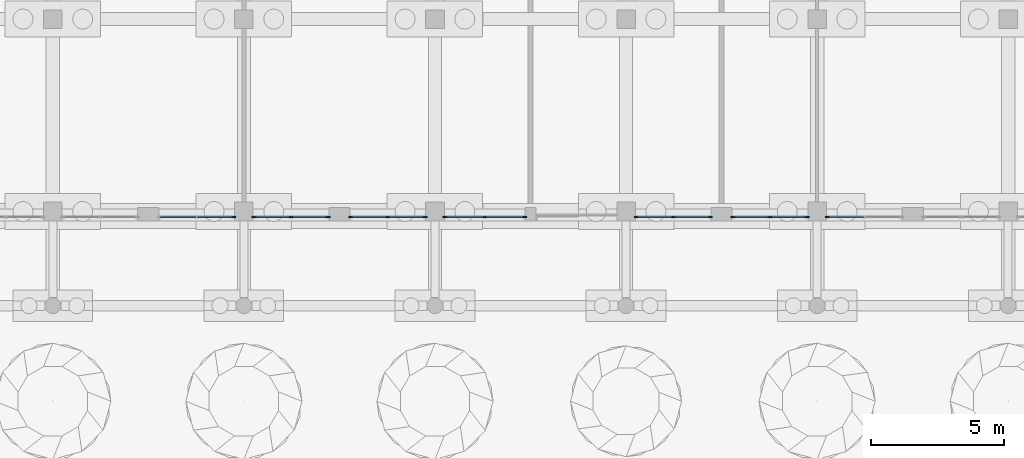
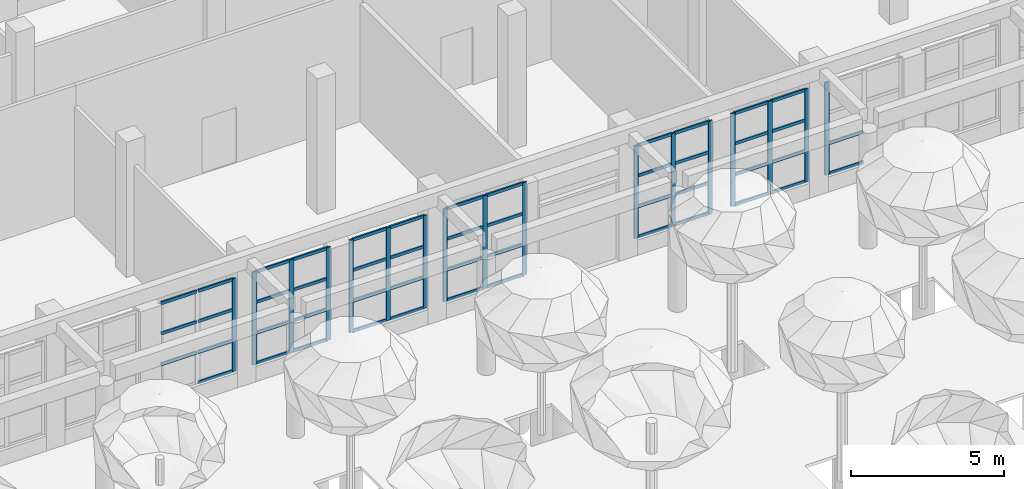
# One storey, part 24 of 80: 66 members, 7 elements without a shape of their own.
"""IFC4 building model written with IfcOpenShell, lengths in metres."""

from ifc_helpers import new_model, si_unit, direction, frame, origin, origin_2d, place, context, subcontext, project, spatial, rectangle, extrude, material, layer, layer_set, material_profile, profile_set, type_object, element, aggregate, save


model = new_model("IFC4")

# Units and contexts
model_context = context("Model", 3, precision=1e-05, world=origin(), true_north=direction((0.0, 1.0)))
body_context = subcontext(model_context, "Body", "Model", "MODEL_VIEW")
ifc_project = project(units=[si_unit("LENGTHUNIT", "METRE"), si_unit("AREAUNIT", "SQUARE_METRE"), si_unit("VOLUMEUNIT", "CUBIC_METRE"), si_unit("PLANEANGLEUNIT", "RADIAN"), si_unit("MASSUNIT", "GRAM", prefix="KILO")], contexts=[model_context])

# Site, building, storey
site_placement = place(None, origin())
site = spatial("IfcSite", under=ifc_project, at=site_placement, CompositionType="ELEMENT")
building_placement = place(site_placement, origin())
building = spatial("IfcBuilding", under=site, at=building_placement, Name="Ussher Court Research Institute", CompositionType="ELEMENT")
storey_placement = place(building_placement, origin())
storey = spatial("IfcBuildingStorey", under=building, at=storey_placement, Name="L00", CompositionType="ELEMENT", Elevation=0.0)

# Curtain wall, member
ifc_material_1 = material(Name="Bronze anodised aluminium with laminated safety glass", Category="aluminium")
ifc_layer = layer(ifc_material_1, 0.1201171875)
ifc_layer_set = layer_set([ifc_layer], Name="Bronze anodised aluminium with laminated safety glass")
curtain_wall_type = type_object("IfcCurtainWallType", Name="Curtain wall dry laboratory base storefront", PredefinedType="NOTDEFINED", material=ifc_layer_set)
curtain_wall_1_placement = place(storey_placement, origin())
curtain_wall_1 = element("IfcCurtainWall", 1, at=curtain_wall_1_placement, inside=storey, type_object=curtain_wall_type, Name="Curtain wall CW4 L00", PredefinedType="NOTDEFINED")
ifc_material_2 = material(Name="Bronze anodised aluminium", Category="aluminium")
ifc_material_profile_1 = material_profile(ifc_material_2, rectangle(XDim=0.06005859375, YDim=0.159912109375, at=origin_2d()), Name="Mullion 60x160")
ifc_profile_set_1 = profile_set([ifc_material_profile_1], Name="Bronze anodised aluminium")
member_type_1 = type_object("IfcMemberType", Name="Mullion 60x160", PredefinedType="MULLION", material=ifc_profile_set_1)
member_1_placement = place(storey_placement, frame((60.97998046875, 68.550048828125, 0.60009765625), z_axis=(0.0, 0.0, 1.0), x_axis=(0.0, -1.0, 0.0)))
member_1 = element("IfcMember", 2, at=member_1_placement, type_object=member_type_1, Name="CW4 mullion 3", PredefinedType="MULLION", context=body_context, shape_type="SweptSolid", body=[
    extrude(rectangle(XDim=0.06005859375, YDim=0.159912109375, at=origin_2d()), origin(), (0.0, 0.0, 1.0), 3.699951171875),
])

# Curtain wall, members
curtain_wall_2_placement = place(storey_placement, origin())
curtain_wall_2 = element("IfcCurtainWall", 3, at=curtain_wall_2_placement, inside=storey, type_object=curtain_wall_type, Name="Curtain wall CW4 L00", PredefinedType="NOTDEFINED")
member_2_placement = place(storey_placement, frame((60.219970703125, 68.550048828125, 0.60009765625), z_axis=(0.0, 0.0, 1.0), x_axis=(0.0, -1.0, 0.0)))
member_2 = element("IfcMember", 4, at=member_2_placement, type_object=member_type_1, Name="CW4 mullion 1", PredefinedType="MULLION", context=body_context, shape_type="SweptSolid", body=[
    extrude(rectangle(XDim=0.06005859375, YDim=0.159912109375, at=origin_2d()), origin(), (0.0, 0.0, 1.0), 3.699951171875),
])
member_3_placement = place(storey_placement, frame((58.824951171875, 68.550048828125, 0.60009765625), z_axis=(0.0, 0.0, 1.0), x_axis=(0.0, -1.0, 0.0)))
member_3 = element("IfcMember", 5, at=member_3_placement, type_object=member_type_1, Name="CW4 mullion 2", PredefinedType="MULLION", context=body_context, shape_type="SweptSolid", body=[
    extrude(rectangle(XDim=0.06005859375, YDim=0.159912109375, at=origin_2d()), origin(), (0.0, 0.0, 1.0), 3.699951171875),
])
member_4_placement = place(storey_placement, frame((57.429931640625, 68.550048828125, 0.60009765625), z_axis=(0.0, 0.0, 1.0), x_axis=(0.0, -1.0, 0.0)))
member_4 = element("IfcMember", 6, at=member_4_placement, type_object=member_type_1, Name="CW4 mullion 3", PredefinedType="MULLION", context=body_context, shape_type="SweptSolid", body=[
    extrude(rectangle(XDim=0.06005859375, YDim=0.159912109375, at=origin_2d()), origin(), (0.0, 0.0, 1.0), 3.699951171875),
])

curtain_wall_3_placement = place(storey_placement, origin())
curtain_wall_3 = element("IfcCurtainWall", 7, at=curtain_wall_3_placement, inside=storey, type_object=curtain_wall_type, Name="Curtain wall CW4 L00", PredefinedType="NOTDEFINED")
member_5_placement = place(storey_placement, frame((56.570068359375, 68.550048828125, 0.60009765625), z_axis=(0.0, 0.0, 1.0), x_axis=(0.0, -1.0, 0.0)))
member_5 = element("IfcMember", 8, at=member_5_placement, type_object=member_type_1, Name="CW4 mullion 1", PredefinedType="MULLION", context=body_context, shape_type="SweptSolid", body=[
    extrude(rectangle(XDim=0.06005859375, YDim=0.159912109375, at=origin_2d()), origin(), (0.0, 0.0, 1.0), 3.699951171875),
])
member_6_placement = place(storey_placement, frame((55.175048828125, 68.550048828125, 0.60009765625), z_axis=(0.0, 0.0, 1.0), x_axis=(0.0, -1.0, 0.0)))
member_6 = element("IfcMember", 9, at=member_6_placement, type_object=member_type_1, Name="CW4 mullion 2", PredefinedType="MULLION", context=body_context, shape_type="SweptSolid", body=[
    extrude(rectangle(XDim=0.06005859375, YDim=0.159912109375, at=origin_2d()), origin(), (0.0, 0.0, 1.0), 3.699951171875),
])
member_7_placement = place(storey_placement, frame((53.780029296875, 68.550048828125, 0.60009765625), z_axis=(0.0, 0.0, 1.0), x_axis=(0.0, -1.0, 0.0)))
member_7 = element("IfcMember", 10, at=member_7_placement, type_object=member_type_1, Name="CW4 mullion 3", PredefinedType="MULLION", context=body_context, shape_type="SweptSolid", body=[
    extrude(rectangle(XDim=0.06005859375, YDim=0.159912109375, at=origin_2d()), origin(), (0.0, 0.0, 1.0), 3.699951171875),
])

curtain_wall_4_placement = place(storey_placement, origin())
curtain_wall_4 = element("IfcCurtainWall", 11, at=curtain_wall_4_placement, inside=storey, type_object=curtain_wall_type, Name="Curtain wall CW4 L00", PredefinedType="NOTDEFINED")
member_8_placement = place(storey_placement, frame((49.570068359375, 68.550048828125, 0.60009765625), z_axis=(0.0, 0.0, 1.0), x_axis=(0.0, -1.0, 0.0)))
member_8 = element("IfcMember", 12, at=member_8_placement, type_object=member_type_1, Name="CW4 mullion 1", PredefinedType="MULLION", context=body_context, shape_type="SweptSolid", body=[
    extrude(rectangle(XDim=0.06005859375, YDim=0.159912109375, at=origin_2d()), origin(), (0.0, 0.0, 1.0), 3.699951171875),
])
member_9_placement = place(storey_placement, frame((48.074951171875, 68.550048828125, 0.60009765625), z_axis=(0.0, 0.0, 1.0), x_axis=(0.0, -1.0, 0.0)))
member_9 = element("IfcMember", 13, at=member_9_placement, type_object=member_type_1, Name="CW4 mullion 2", PredefinedType="MULLION", context=body_context, shape_type="SweptSolid", body=[
    extrude(rectangle(XDim=0.06005859375, YDim=0.159912109375, at=origin_2d()), origin(), (0.0, 0.0, 1.0), 3.699951171875),
])
member_10_placement = place(storey_placement, frame((46.580078125, 68.550048828125, 0.60009765625), z_axis=(0.0, 0.0, 1.0), x_axis=(0.0, -1.0, 0.0)))
member_10 = element("IfcMember", 14, at=member_10_placement, type_object=member_type_1, Name="CW4 mullion 3", PredefinedType="MULLION", context=body_context, shape_type="SweptSolid", body=[
    extrude(rectangle(XDim=0.06005859375, YDim=0.159912109375, at=origin_2d()), origin(), (0.0, 0.0, 1.0), 3.699951171875),
])

curtain_wall_5_placement = place(storey_placement, origin())
curtain_wall_5 = element("IfcCurtainWall", 15, at=curtain_wall_5_placement, inside=storey, type_object=curtain_wall_type, Name="Curtain wall CW4 L00", PredefinedType="NOTDEFINED")
member_11_placement = place(storey_placement, frame((45.820068359375, 68.550048828125, 0.60009765625), z_axis=(0.0, 0.0, 1.0), x_axis=(0.0, -1.0, 0.0)))
member_11 = element("IfcMember", 16, at=member_11_placement, type_object=member_type_1, Name="CW4 mullion 1", PredefinedType="MULLION", context=body_context, shape_type="SweptSolid", body=[
    extrude(rectangle(XDim=0.06005859375, YDim=0.159912109375, at=origin_2d()), origin(), (0.0, 0.0, 1.0), 3.699951171875),
])
member_12_placement = place(storey_placement, frame((44.425048828125, 68.550048828125, 0.60009765625), z_axis=(0.0, 0.0, 1.0), x_axis=(0.0, -1.0, 0.0)))
member_12 = element("IfcMember", 17, at=member_12_placement, type_object=member_type_1, Name="CW4 mullion 2", PredefinedType="MULLION", context=body_context, shape_type="SweptSolid", body=[
    extrude(rectangle(XDim=0.06005859375, YDim=0.159912109375, at=origin_2d()), origin(), (0.0, 0.0, 1.0), 3.699951171875),
])
member_13_placement = place(storey_placement, frame((43.030029296875, 68.550048828125, 0.60009765625), z_axis=(0.0, 0.0, 1.0), x_axis=(0.0, -1.0, 0.0)))
member_13 = element("IfcMember", 18, at=member_13_placement, type_object=member_type_1, Name="CW4 mullion 3", PredefinedType="MULLION", context=body_context, shape_type="SweptSolid", body=[
    extrude(rectangle(XDim=0.06005859375, YDim=0.159912109375, at=origin_2d()), origin(), (0.0, 0.0, 1.0), 3.699951171875),
])

curtain_wall_6_placement = place(storey_placement, origin())
curtain_wall_6 = element("IfcCurtainWall", 19, at=curtain_wall_6_placement, inside=storey, type_object=curtain_wall_type, Name="Curtain wall CW4 L00", PredefinedType="NOTDEFINED")
member_14_placement = place(storey_placement, frame((42.169921875, 68.550048828125, 0.60009765625), z_axis=(0.0, 0.0, 1.0), x_axis=(0.0, -1.0, 0.0)))
member_14 = element("IfcMember", 20, at=member_14_placement, type_object=member_type_1, Name="CW4 mullion 1", PredefinedType="MULLION", context=body_context, shape_type="SweptSolid", body=[
    extrude(rectangle(XDim=0.06005859375, YDim=0.159912109375, at=origin_2d()), origin(), (0.0, 0.0, 1.0), 3.699951171875),
])
member_15_placement = place(storey_placement, frame((40.77490234375, 68.550048828125, 0.60009765625), z_axis=(0.0, 0.0, 1.0), x_axis=(0.0, -1.0, 0.0)))
member_15 = element("IfcMember", 21, at=member_15_placement, type_object=member_type_1, Name="CW4 mullion 2", PredefinedType="MULLION", context=body_context, shape_type="SweptSolid", body=[
    extrude(rectangle(XDim=0.06005859375, YDim=0.159912109375, at=origin_2d()), origin(), (0.0, 0.0, 1.0), 3.699951171875),
])
member_16_placement = place(storey_placement, frame((39.3798828125, 68.550048828125, 0.60009765625), z_axis=(0.0, 0.0, 1.0), x_axis=(0.0, -1.0, 0.0)))
member_16 = element("IfcMember", 22, at=member_16_placement, type_object=member_type_1, Name="CW4 mullion 3", PredefinedType="MULLION", context=body_context, shape_type="SweptSolid", body=[
    extrude(rectangle(XDim=0.06005859375, YDim=0.159912109375, at=origin_2d()), origin(), (0.0, 0.0, 1.0), 3.699951171875),
])

# Curtain wall, member
curtain_wall_7_placement = place(storey_placement, origin())
curtain_wall_7 = element("IfcCurtainWall", 23, at=curtain_wall_7_placement, inside=storey, type_object=curtain_wall_type, Name="Curtain wall CW4 L00", PredefinedType="NOTDEFINED")
member_17_placement = place(storey_placement, frame((38.6201171875, 68.550048828125, 0.60009765625), z_axis=(0.0, 0.0, 1.0), x_axis=(0.0, -1.0, 0.0)))
member_17 = element("IfcMember", 24, at=member_17_placement, type_object=member_type_1, Name="CW4 mullion 1", PredefinedType="MULLION", context=body_context, shape_type="SweptSolid", body=[
    extrude(rectangle(XDim=0.06005859375, YDim=0.159912109375, at=origin_2d()), origin(), (0.0, 0.0, 1.0), 3.699951171875),
])

# Member
ifc_material_3 = material(Name="Bronze anodised aluminium", Category="aluminium")
ifc_material_profile_2 = material_profile(ifc_material_3, rectangle(XDim=0.06005859375, YDim=0.1201171875, at=origin_2d()), Name="Transom 60x120")
ifc_profile_set_2 = profile_set([ifc_material_profile_2], Name="Bronze anodised aluminium")
member_type_2 = type_object("IfcMemberType", Name="Transom 60x120", PredefinedType="USERDEFINED", material=ifc_profile_set_2)
member_18_placement = place(storey_placement, frame((62.344970703125, 68.550048828125, 0.6298828125), z_axis=(-1.0, 0.0, 0.0), x_axis=(0.0, -1.0, 0.0)))
member_18 = element("IfcMember", 25, at=member_18_placement, type_object=member_type_2, Name="CW4 transom 2.1", ObjectType="TRANSOM", PredefinedType="USERDEFINED", context=body_context, shape_type="SweptSolid", body=[
    extrude(rectangle(XDim=0.06005859375, YDim=0.1201171875, at=origin_2d()), origin(), (0.0, 0.0, 1.0), 1.3349609375),
])

member_19_placement = place(storey_placement, frame((62.344970703125, 68.550048828125, 1.833251953125), z_axis=(-1.0, 0.0, 0.0), x_axis=(0.0, -1.0, 0.0)))
member_19 = element("IfcMember", 26, at=member_19_placement, type_object=member_type_2, Name="CW4 transom 2.2", ObjectType="TRANSOM", PredefinedType="USERDEFINED", context=body_context, shape_type="SweptSolid", body=[
    extrude(rectangle(XDim=0.06005859375, YDim=0.1201171875, at=origin_2d()), origin(), (0.0, 0.0, 1.0), 1.3349609375),
])

aggregate(curtain_wall_1, [member_1, member_18, member_19])

member_20_placement = place(storey_placement, frame((60.18994140625, 68.550048828125, 0.6298828125), z_axis=(-1.0, 0.0, 0.0), x_axis=(0.0, -1.0, 0.0)))
member_20 = element("IfcMember", 27, at=member_20_placement, type_object=member_type_2, Name="CW4 transom 1.1", ObjectType="TRANSOM", PredefinedType="USERDEFINED", context=body_context, shape_type="SweptSolid", body=[
    extrude(rectangle(XDim=0.06005859375, YDim=0.1201171875, at=origin_2d()), origin(), (0.0, 0.0, 1.0), 1.3349609375),
])

member_21_placement = place(storey_placement, frame((60.18994140625, 68.550048828125, 1.833251953125), z_axis=(-1.0, 0.0, 0.0), x_axis=(0.0, -1.0, 0.0)))
member_21 = element("IfcMember", 28, at=member_21_placement, type_object=member_type_2, Name="CW4 transom 1.2", ObjectType="TRANSOM", PredefinedType="USERDEFINED", context=body_context, shape_type="SweptSolid", body=[
    extrude(rectangle(XDim=0.06005859375, YDim=0.1201171875, at=origin_2d()), origin(), (0.0, 0.0, 1.0), 1.3349609375),
])

member_22_placement = place(storey_placement, frame((60.18994140625, 68.550048828125, 3.066650390625), z_axis=(-1.0, 0.0, 0.0), x_axis=(0.0, -1.0, 0.0)))
member_22 = element("IfcMember", 29, at=member_22_placement, type_object=member_type_2, Name="CW4 transom 1.3", ObjectType="TRANSOM", PredefinedType="USERDEFINED", context=body_context, shape_type="SweptSolid", body=[
    extrude(rectangle(XDim=0.06005859375, YDim=0.1201171875, at=origin_2d()), origin(), (0.0, 0.0, 1.0), 1.3349609375),
])

member_23_placement = place(storey_placement, frame((60.18994140625, 68.550048828125, 4.27001953125), z_axis=(-1.0, 0.0, 0.0), x_axis=(0.0, -1.0, 0.0)))
member_23 = element("IfcMember", 30, at=member_23_placement, type_object=member_type_2, Name="CW4 transom 1.4", ObjectType="TRANSOM", PredefinedType="USERDEFINED", context=body_context, shape_type="SweptSolid", body=[
    extrude(rectangle(XDim=0.06005859375, YDim=0.1201171875, at=origin_2d()), origin(), (0.0, 0.0, 1.0), 1.3349609375),
])

member_24_placement = place(storey_placement, frame((58.794921875, 68.550048828125, 0.6298828125), z_axis=(-1.0, 0.0, 0.0), x_axis=(0.0, -1.0, 0.0)))
member_24 = element("IfcMember", 31, at=member_24_placement, type_object=member_type_2, Name="CW4 transom 2.1", ObjectType="TRANSOM", PredefinedType="USERDEFINED", context=body_context, shape_type="SweptSolid", body=[
    extrude(rectangle(XDim=0.06005859375, YDim=0.1201171875, at=origin_2d()), origin(), (0.0, 0.0, 1.0), 1.3349609375),
])

member_25_placement = place(storey_placement, frame((58.794921875, 68.550048828125, 1.833251953125), z_axis=(-1.0, 0.0, 0.0), x_axis=(0.0, -1.0, 0.0)))
member_25 = element("IfcMember", 32, at=member_25_placement, type_object=member_type_2, Name="CW4 transom 2.2", ObjectType="TRANSOM", PredefinedType="USERDEFINED", context=body_context, shape_type="SweptSolid", body=[
    extrude(rectangle(XDim=0.06005859375, YDim=0.1201171875, at=origin_2d()), origin(), (0.0, 0.0, 1.0), 1.3349609375),
])

member_26_placement = place(storey_placement, frame((58.794921875, 68.550048828125, 3.066650390625), z_axis=(-1.0, 0.0, 0.0), x_axis=(0.0, -1.0, 0.0)))
member_26 = element("IfcMember", 33, at=member_26_placement, type_object=member_type_2, Name="CW4 transom 2.3", ObjectType="TRANSOM", PredefinedType="USERDEFINED", context=body_context, shape_type="SweptSolid", body=[
    extrude(rectangle(XDim=0.06005859375, YDim=0.1201171875, at=origin_2d()), origin(), (0.0, 0.0, 1.0), 1.3349609375),
])

member_27_placement = place(storey_placement, frame((58.794921875, 68.550048828125, 4.27001953125), z_axis=(-1.0, 0.0, 0.0), x_axis=(0.0, -1.0, 0.0)))
member_27 = element("IfcMember", 34, at=member_27_placement, type_object=member_type_2, Name="CW4 transom 2.4", ObjectType="TRANSOM", PredefinedType="USERDEFINED", context=body_context, shape_type="SweptSolid", body=[
    extrude(rectangle(XDim=0.06005859375, YDim=0.1201171875, at=origin_2d()), origin(), (0.0, 0.0, 1.0), 1.3349609375),
])

aggregate(curtain_wall_2, [member_2, member_3, member_4, member_20, member_21, member_22, member_23, member_24, member_25, member_26, member_27])

member_28_placement = place(storey_placement, frame((56.5400390625, 68.550048828125, 0.6298828125), z_axis=(-1.0, 0.0, 0.0), x_axis=(0.0, -1.0, 0.0)))
member_28 = element("IfcMember", 35, at=member_28_placement, type_object=member_type_2, Name="CW4 transom 1.1", ObjectType="TRANSOM", PredefinedType="USERDEFINED", context=body_context, shape_type="SweptSolid", body=[
    extrude(rectangle(XDim=0.06005859375, YDim=0.1201171875, at=origin_2d()), origin(), (0.0, 0.0, 1.0), 1.3349609375),
])

member_29_placement = place(storey_placement, frame((56.5400390625, 68.550048828125, 1.833251953125), z_axis=(-1.0, 0.0, 0.0), x_axis=(0.0, -1.0, 0.0)))
member_29 = element("IfcMember", 36, at=member_29_placement, type_object=member_type_2, Name="CW4 transom 1.2", ObjectType="TRANSOM", PredefinedType="USERDEFINED", context=body_context, shape_type="SweptSolid", body=[
    extrude(rectangle(XDim=0.06005859375, YDim=0.1201171875, at=origin_2d()), origin(), (0.0, 0.0, 1.0), 1.3349609375),
])

member_30_placement = place(storey_placement, frame((56.5400390625, 68.550048828125, 3.066650390625), z_axis=(-1.0, 0.0, 0.0), x_axis=(0.0, -1.0, 0.0)))
member_30 = element("IfcMember", 37, at=member_30_placement, type_object=member_type_2, Name="CW4 transom 1.3", ObjectType="TRANSOM", PredefinedType="USERDEFINED", context=body_context, shape_type="SweptSolid", body=[
    extrude(rectangle(XDim=0.06005859375, YDim=0.1201171875, at=origin_2d()), origin(), (0.0, 0.0, 1.0), 1.3349609375),
])

member_31_placement = place(storey_placement, frame((56.5400390625, 68.550048828125, 4.27001953125), z_axis=(-1.0, 0.0, 0.0), x_axis=(0.0, -1.0, 0.0)))
member_31 = element("IfcMember", 38, at=member_31_placement, type_object=member_type_2, Name="CW4 transom 1.4", ObjectType="TRANSOM", PredefinedType="USERDEFINED", context=body_context, shape_type="SweptSolid", body=[
    extrude(rectangle(XDim=0.06005859375, YDim=0.1201171875, at=origin_2d()), origin(), (0.0, 0.0, 1.0), 1.3349609375),
])

member_32_placement = place(storey_placement, frame((55.14501953125, 68.550048828125, 0.6298828125), z_axis=(-1.0, 0.0, 0.0), x_axis=(0.0, -1.0, 0.0)))
member_32 = element("IfcMember", 39, at=member_32_placement, type_object=member_type_2, Name="CW4 transom 2.1", ObjectType="TRANSOM", PredefinedType="USERDEFINED", context=body_context, shape_type="SweptSolid", body=[
    extrude(rectangle(XDim=0.06005859375, YDim=0.1201171875, at=origin_2d()), origin(), (0.0, 0.0, 1.0), 1.3349609375),
])

member_33_placement = place(storey_placement, frame((55.14501953125, 68.550048828125, 1.833251953125), z_axis=(-1.0, 0.0, 0.0), x_axis=(0.0, -1.0, 0.0)))
member_33 = element("IfcMember", 40, at=member_33_placement, type_object=member_type_2, Name="CW4 transom 2.2", ObjectType="TRANSOM", PredefinedType="USERDEFINED", context=body_context, shape_type="SweptSolid", body=[
    extrude(rectangle(XDim=0.06005859375, YDim=0.1201171875, at=origin_2d()), origin(), (0.0, 0.0, 1.0), 1.3349609375),
])

member_34_placement = place(storey_placement, frame((55.14501953125, 68.550048828125, 3.066650390625), z_axis=(-1.0, 0.0, 0.0), x_axis=(0.0, -1.0, 0.0)))
member_34 = element("IfcMember", 41, at=member_34_placement, type_object=member_type_2, Name="CW4 transom 2.3", ObjectType="TRANSOM", PredefinedType="USERDEFINED", context=body_context, shape_type="SweptSolid", body=[
    extrude(rectangle(XDim=0.06005859375, YDim=0.1201171875, at=origin_2d()), origin(), (0.0, 0.0, 1.0), 1.3349609375),
])

member_35_placement = place(storey_placement, frame((55.14501953125, 68.550048828125, 4.27001953125), z_axis=(-1.0, 0.0, 0.0), x_axis=(0.0, -1.0, 0.0)))
member_35 = element("IfcMember", 42, at=member_35_placement, type_object=member_type_2, Name="CW4 transom 2.4", ObjectType="TRANSOM", PredefinedType="USERDEFINED", context=body_context, shape_type="SweptSolid", body=[
    extrude(rectangle(XDim=0.06005859375, YDim=0.1201171875, at=origin_2d()), origin(), (0.0, 0.0, 1.0), 1.3349609375),
])

aggregate(curtain_wall_3, [member_5, member_6, member_7, member_28, member_29, member_30, member_31, member_32, member_33, member_34, member_35])

member_36_placement = place(storey_placement, frame((49.5400390625, 68.550048828125, 0.6298828125), z_axis=(-1.0, 0.0, 0.0), x_axis=(0.0, -1.0, 0.0)))
member_36 = element("IfcMember", 43, at=member_36_placement, type_object=member_type_2, Name="CW4 transom 1.1", ObjectType="TRANSOM", PredefinedType="USERDEFINED", context=body_context, shape_type="SweptSolid", body=[
    extrude(rectangle(XDim=0.06005859375, YDim=0.1201171875, at=origin_2d()), origin(), (0.0, 0.0, 1.0), 1.43505859375),
])

member_37_placement = place(storey_placement, frame((49.5400390625, 68.550048828125, 1.833251953125), z_axis=(-1.0, 0.0, 0.0), x_axis=(0.0, -1.0, 0.0)))
member_37 = element("IfcMember", 44, at=member_37_placement, type_object=member_type_2, Name="CW4 transom 1.2", ObjectType="TRANSOM", PredefinedType="USERDEFINED", context=body_context, shape_type="SweptSolid", body=[
    extrude(rectangle(XDim=0.06005859375, YDim=0.1201171875, at=origin_2d()), origin(), (0.0, 0.0, 1.0), 1.43505859375),
])

member_38_placement = place(storey_placement, frame((49.5400390625, 68.550048828125, 3.066650390625), z_axis=(-1.0, 0.0, 0.0), x_axis=(0.0, -1.0, 0.0)))
member_38 = element("IfcMember", 45, at=member_38_placement, type_object=member_type_2, Name="CW4 transom 1.3", ObjectType="TRANSOM", PredefinedType="USERDEFINED", context=body_context, shape_type="SweptSolid", body=[
    extrude(rectangle(XDim=0.06005859375, YDim=0.1201171875, at=origin_2d()), origin(), (0.0, 0.0, 1.0), 1.43505859375),
])

member_39_placement = place(storey_placement, frame((49.5400390625, 68.550048828125, 4.27001953125), z_axis=(-1.0, 0.0, 0.0), x_axis=(0.0, -1.0, 0.0)))
member_39 = element("IfcMember", 46, at=member_39_placement, type_object=member_type_2, Name="CW4 transom 1.4", ObjectType="TRANSOM", PredefinedType="USERDEFINED", context=body_context, shape_type="SweptSolid", body=[
    extrude(rectangle(XDim=0.06005859375, YDim=0.1201171875, at=origin_2d()), origin(), (0.0, 0.0, 1.0), 1.43505859375),
])

member_40_placement = place(storey_placement, frame((48.044921875, 68.550048828125, 0.6298828125), z_axis=(-1.0, 0.0, 0.0), x_axis=(0.0, -1.0, 0.0)))
member_40 = element("IfcMember", 47, at=member_40_placement, type_object=member_type_2, Name="CW4 transom 2.1", ObjectType="TRANSOM", PredefinedType="USERDEFINED", context=body_context, shape_type="SweptSolid", body=[
    extrude(rectangle(XDim=0.06005859375, YDim=0.1201171875, at=origin_2d()), origin(), (0.0, 0.0, 1.0), 1.434814453125),
])

member_41_placement = place(storey_placement, frame((48.044921875, 68.550048828125, 1.833251953125), z_axis=(-1.0, 0.0, 0.0), x_axis=(0.0, -1.0, 0.0)))
member_41 = element("IfcMember", 48, at=member_41_placement, type_object=member_type_2, Name="CW4 transom 2.2", ObjectType="TRANSOM", PredefinedType="USERDEFINED", context=body_context, shape_type="SweptSolid", body=[
    extrude(rectangle(XDim=0.06005859375, YDim=0.1201171875, at=origin_2d()), origin(), (0.0, 0.0, 1.0), 1.434814453125),
])

member_42_placement = place(storey_placement, frame((48.044921875, 68.550048828125, 3.066650390625), z_axis=(-1.0, 0.0, 0.0), x_axis=(0.0, -1.0, 0.0)))
member_42 = element("IfcMember", 49, at=member_42_placement, type_object=member_type_2, Name="CW4 transom 2.3", ObjectType="TRANSOM", PredefinedType="USERDEFINED", context=body_context, shape_type="SweptSolid", body=[
    extrude(rectangle(XDim=0.06005859375, YDim=0.1201171875, at=origin_2d()), origin(), (0.0, 0.0, 1.0), 1.434814453125),
])

member_43_placement = place(storey_placement, frame((48.044921875, 68.550048828125, 4.27001953125), z_axis=(-1.0, 0.0, 0.0), x_axis=(0.0, -1.0, 0.0)))
member_43 = element("IfcMember", 50, at=member_43_placement, type_object=member_type_2, Name="CW4 transom 2.4", ObjectType="TRANSOM", PredefinedType="USERDEFINED", context=body_context, shape_type="SweptSolid", body=[
    extrude(rectangle(XDim=0.06005859375, YDim=0.1201171875, at=origin_2d()), origin(), (0.0, 0.0, 1.0), 1.434814453125),
])

aggregate(curtain_wall_4, [member_8, member_9, member_10, member_36, member_37, member_38, member_39, member_40, member_41, member_42, member_43])

member_44_placement = place(storey_placement, frame((45.7900390625, 68.550048828125, 0.6298828125), z_axis=(-1.0, 0.0, 0.0), x_axis=(0.0, -1.0, 0.0)))
member_44 = element("IfcMember", 51, at=member_44_placement, type_object=member_type_2, Name="CW4 transom 1.1", ObjectType="TRANSOM", PredefinedType="USERDEFINED", context=body_context, shape_type="SweptSolid", body=[
    extrude(rectangle(XDim=0.06005859375, YDim=0.1201171875, at=origin_2d()), origin(), (0.0, 0.0, 1.0), 1.3349609375),
])

member_45_placement = place(storey_placement, frame((45.7900390625, 68.550048828125, 1.833251953125), z_axis=(-1.0, 0.0, 0.0), x_axis=(0.0, -1.0, 0.0)))
member_45 = element("IfcMember", 52, at=member_45_placement, type_object=member_type_2, Name="CW4 transom 1.2", ObjectType="TRANSOM", PredefinedType="USERDEFINED", context=body_context, shape_type="SweptSolid", body=[
    extrude(rectangle(XDim=0.06005859375, YDim=0.1201171875, at=origin_2d()), origin(), (0.0, 0.0, 1.0), 1.3349609375),
])

member_46_placement = place(storey_placement, frame((45.7900390625, 68.550048828125, 3.066650390625), z_axis=(-1.0, 0.0, 0.0), x_axis=(0.0, -1.0, 0.0)))
member_46 = element("IfcMember", 53, at=member_46_placement, type_object=member_type_2, Name="CW4 transom 1.3", ObjectType="TRANSOM", PredefinedType="USERDEFINED", context=body_context, shape_type="SweptSolid", body=[
    extrude(rectangle(XDim=0.06005859375, YDim=0.1201171875, at=origin_2d()), origin(), (0.0, 0.0, 1.0), 1.3349609375),
])

member_47_placement = place(storey_placement, frame((45.7900390625, 68.550048828125, 4.27001953125), z_axis=(-1.0, 0.0, 0.0), x_axis=(0.0, -1.0, 0.0)))
member_47 = element("IfcMember", 54, at=member_47_placement, type_object=member_type_2, Name="CW4 transom 1.4", ObjectType="TRANSOM", PredefinedType="USERDEFINED", context=body_context, shape_type="SweptSolid", body=[
    extrude(rectangle(XDim=0.06005859375, YDim=0.1201171875, at=origin_2d()), origin(), (0.0, 0.0, 1.0), 1.3349609375),
])

member_48_placement = place(storey_placement, frame((44.39501953125, 68.550048828125, 0.6298828125), z_axis=(-1.0, 0.0, 0.0), x_axis=(0.0, -1.0, 0.0)))
member_48 = element("IfcMember", 55, at=member_48_placement, type_object=member_type_2, Name="CW4 transom 2.1", ObjectType="TRANSOM", PredefinedType="USERDEFINED", context=body_context, shape_type="SweptSolid", body=[
    extrude(rectangle(XDim=0.06005859375, YDim=0.1201171875, at=origin_2d()), origin(), (0.0, 0.0, 1.0), 1.3349609375),
])

member_49_placement = place(storey_placement, frame((44.39501953125, 68.550048828125, 1.833251953125), z_axis=(-1.0, 0.0, 0.0), x_axis=(0.0, -1.0, 0.0)))
member_49 = element("IfcMember", 56, at=member_49_placement, type_object=member_type_2, Name="CW4 transom 2.2", ObjectType="TRANSOM", PredefinedType="USERDEFINED", context=body_context, shape_type="SweptSolid", body=[
    extrude(rectangle(XDim=0.06005859375, YDim=0.1201171875, at=origin_2d()), origin(), (0.0, 0.0, 1.0), 1.3349609375),
])

member_50_placement = place(storey_placement, frame((44.39501953125, 68.550048828125, 3.066650390625), z_axis=(-1.0, 0.0, 0.0), x_axis=(0.0, -1.0, 0.0)))
member_50 = element("IfcMember", 57, at=member_50_placement, type_object=member_type_2, Name="CW4 transom 2.3", ObjectType="TRANSOM", PredefinedType="USERDEFINED", context=body_context, shape_type="SweptSolid", body=[
    extrude(rectangle(XDim=0.06005859375, YDim=0.1201171875, at=origin_2d()), origin(), (0.0, 0.0, 1.0), 1.3349609375),
])

member_51_placement = place(storey_placement, frame((44.39501953125, 68.550048828125, 4.27001953125), z_axis=(-1.0, 0.0, 0.0), x_axis=(0.0, -1.0, 0.0)))
member_51 = element("IfcMember", 58, at=member_51_placement, type_object=member_type_2, Name="CW4 transom 2.4", ObjectType="TRANSOM", PredefinedType="USERDEFINED", context=body_context, shape_type="SweptSolid", body=[
    extrude(rectangle(XDim=0.06005859375, YDim=0.1201171875, at=origin_2d()), origin(), (0.0, 0.0, 1.0), 1.3349609375),
])

aggregate(curtain_wall_5, [member_11, member_12, member_13, member_44, member_45, member_46, member_47, member_48, member_49, member_50, member_51])

member_52_placement = place(storey_placement, frame((42.139892578125, 68.550048828125, 0.6298828125), z_axis=(-1.0, 0.0, 0.0), x_axis=(0.0, -1.0, 0.0)))
member_52 = element("IfcMember", 59, at=member_52_placement, type_object=member_type_2, Name="CW4 transom 1.1", ObjectType="TRANSOM", PredefinedType="USERDEFINED", context=body_context, shape_type="SweptSolid", body=[
    extrude(rectangle(XDim=0.06005859375, YDim=0.1201171875, at=origin_2d()), origin(), (0.0, 0.0, 1.0), 1.3349609375),
])

member_53_placement = place(storey_placement, frame((42.139892578125, 68.550048828125, 1.833251953125), z_axis=(-1.0, 0.0, 0.0), x_axis=(0.0, -1.0, 0.0)))
member_53 = element("IfcMember", 60, at=member_53_placement, type_object=member_type_2, Name="CW4 transom 1.2", ObjectType="TRANSOM", PredefinedType="USERDEFINED", context=body_context, shape_type="SweptSolid", body=[
    extrude(rectangle(XDim=0.06005859375, YDim=0.1201171875, at=origin_2d()), origin(), (0.0, 0.0, 1.0), 1.3349609375),
])

member_54_placement = place(storey_placement, frame((42.139892578125, 68.550048828125, 3.066650390625), z_axis=(-1.0, 0.0, 0.0), x_axis=(0.0, -1.0, 0.0)))
member_54 = element("IfcMember", 61, at=member_54_placement, type_object=member_type_2, Name="CW4 transom 1.3", ObjectType="TRANSOM", PredefinedType="USERDEFINED", context=body_context, shape_type="SweptSolid", body=[
    extrude(rectangle(XDim=0.06005859375, YDim=0.1201171875, at=origin_2d()), origin(), (0.0, 0.0, 1.0), 1.3349609375),
])

member_55_placement = place(storey_placement, frame((42.139892578125, 68.550048828125, 4.27001953125), z_axis=(-1.0, 0.0, 0.0), x_axis=(0.0, -1.0, 0.0)))
member_55 = element("IfcMember", 62, at=member_55_placement, type_object=member_type_2, Name="CW4 transom 1.4", ObjectType="TRANSOM", PredefinedType="USERDEFINED", context=body_context, shape_type="SweptSolid", body=[
    extrude(rectangle(XDim=0.06005859375, YDim=0.1201171875, at=origin_2d()), origin(), (0.0, 0.0, 1.0), 1.3349609375),
])

member_56_placement = place(storey_placement, frame((40.7451171875, 68.550048828125, 0.6298828125), z_axis=(-1.0, 0.0, 0.0), x_axis=(0.0, -1.0, 0.0)))
member_56 = element("IfcMember", 63, at=member_56_placement, type_object=member_type_2, Name="CW4 transom 2.1", ObjectType="TRANSOM", PredefinedType="USERDEFINED", context=body_context, shape_type="SweptSolid", body=[
    extrude(rectangle(XDim=0.06005859375, YDim=0.1201171875, at=origin_2d()), origin(), (0.0, 0.0, 1.0), 1.335205078125),
])

member_57_placement = place(storey_placement, frame((40.7451171875, 68.550048828125, 1.833251953125), z_axis=(-1.0, 0.0, 0.0), x_axis=(0.0, -1.0, 0.0)))
member_57 = element("IfcMember", 64, at=member_57_placement, type_object=member_type_2, Name="CW4 transom 2.2", ObjectType="TRANSOM", PredefinedType="USERDEFINED", context=body_context, shape_type="SweptSolid", body=[
    extrude(rectangle(XDim=0.06005859375, YDim=0.1201171875, at=origin_2d()), origin(), (0.0, 0.0, 1.0), 1.335205078125),
])

member_58_placement = place(storey_placement, frame((40.7451171875, 68.550048828125, 3.066650390625), z_axis=(-1.0, 0.0, 0.0), x_axis=(0.0, -1.0, 0.0)))
member_58 = element("IfcMember", 65, at=member_58_placement, type_object=member_type_2, Name="CW4 transom 2.3", ObjectType="TRANSOM", PredefinedType="USERDEFINED", context=body_context, shape_type="SweptSolid", body=[
    extrude(rectangle(XDim=0.06005859375, YDim=0.1201171875, at=origin_2d()), origin(), (0.0, 0.0, 1.0), 1.335205078125),
])

member_59_placement = place(storey_placement, frame((40.7451171875, 68.550048828125, 4.27001953125), z_axis=(-1.0, 0.0, 0.0), x_axis=(0.0, -1.0, 0.0)))
member_59 = element("IfcMember", 66, at=member_59_placement, type_object=member_type_2, Name="CW4 transom 2.4", ObjectType="TRANSOM", PredefinedType="USERDEFINED", context=body_context, shape_type="SweptSolid", body=[
    extrude(rectangle(XDim=0.06005859375, YDim=0.1201171875, at=origin_2d()), origin(), (0.0, 0.0, 1.0), 1.335205078125),
])

aggregate(curtain_wall_6, [member_14, member_15, member_16, member_52, member_53, member_54, member_55, member_56, member_57, member_58, member_59])

member_60_placement = place(storey_placement, frame((38.590087890625, 68.550048828125, 0.6298828125), z_axis=(-1.0, 0.0, 0.0), x_axis=(0.0, -1.0, 0.0)))
member_60 = element("IfcMember", 67, at=member_60_placement, type_object=member_type_2, Name="CW4 transom 1.1", ObjectType="TRANSOM", PredefinedType="USERDEFINED", context=body_context, shape_type="SweptSolid", body=[
    extrude(rectangle(XDim=0.06005859375, YDim=0.1201171875, at=origin_2d()), origin(), (0.0, 0.0, 1.0), 1.335205078125),
])

member_61_placement = place(storey_placement, frame((38.590087890625, 68.550048828125, 1.833251953125), z_axis=(-1.0, 0.0, 0.0), x_axis=(0.0, -1.0, 0.0)))
member_61 = element("IfcMember", 68, at=member_61_placement, type_object=member_type_2, Name="CW4 transom 1.2", ObjectType="TRANSOM", PredefinedType="USERDEFINED", context=body_context, shape_type="SweptSolid", body=[
    extrude(rectangle(XDim=0.06005859375, YDim=0.1201171875, at=origin_2d()), origin(), (0.0, 0.0, 1.0), 1.335205078125),
])

member_62_placement = place(storey_placement, frame((38.590087890625, 68.550048828125, 3.066650390625), z_axis=(-1.0, 0.0, 0.0), x_axis=(0.0, -1.0, 0.0)))
member_62 = element("IfcMember", 69, at=member_62_placement, type_object=member_type_2, Name="CW4 transom 1.3", ObjectType="TRANSOM", PredefinedType="USERDEFINED", context=body_context, shape_type="SweptSolid", body=[
    extrude(rectangle(XDim=0.06005859375, YDim=0.1201171875, at=origin_2d()), origin(), (0.0, 0.0, 1.0), 1.335205078125),
])

member_63_placement = place(storey_placement, frame((38.590087890625, 68.550048828125, 4.27001953125), z_axis=(-1.0, 0.0, 0.0), x_axis=(0.0, -1.0, 0.0)))
member_63 = element("IfcMember", 70, at=member_63_placement, type_object=member_type_2, Name="CW4 transom 1.4", ObjectType="TRANSOM", PredefinedType="USERDEFINED", context=body_context, shape_type="SweptSolid", body=[
    extrude(rectangle(XDim=0.06005859375, YDim=0.1201171875, at=origin_2d()), origin(), (0.0, 0.0, 1.0), 1.335205078125),
])

member_64_placement = place(storey_placement, frame((37.195068359375, 68.550048828125, 1.833251953125), z_axis=(-1.0, 0.0, 0.0), x_axis=(0.0, -1.0, 0.0)))
member_64 = element("IfcMember", 71, at=member_64_placement, type_object=member_type_2, Name="CW4 transom 2.2", ObjectType="TRANSOM", PredefinedType="USERDEFINED", context=body_context, shape_type="SweptSolid", body=[
    extrude(rectangle(XDim=0.06005859375, YDim=0.1201171875, at=origin_2d()), origin(), (0.0, 0.0, 1.0), 1.3349609375),
])

member_65_placement = place(storey_placement, frame((37.195068359375, 68.550048828125, 3.066650390625), z_axis=(-1.0, 0.0, 0.0), x_axis=(0.0, -1.0, 0.0)))
member_65 = element("IfcMember", 72, at=member_65_placement, type_object=member_type_2, Name="CW4 transom 2.3", ObjectType="TRANSOM", PredefinedType="USERDEFINED", context=body_context, shape_type="SweptSolid", body=[
    extrude(rectangle(XDim=0.06005859375, YDim=0.1201171875, at=origin_2d()), origin(), (0.0, 0.0, 1.0), 1.3349609375),
])

member_66_placement = place(storey_placement, frame((37.195068359375, 68.550048828125, 4.27001953125), z_axis=(-1.0, 0.0, 0.0), x_axis=(0.0, -1.0, 0.0)))
member_66 = element("IfcMember", 73, at=member_66_placement, type_object=member_type_2, Name="CW4 transom 2.4", ObjectType="TRANSOM", PredefinedType="USERDEFINED", context=body_context, shape_type="SweptSolid", body=[
    extrude(rectangle(XDim=0.06005859375, YDim=0.1201171875, at=origin_2d()), origin(), (0.0, 0.0, 1.0), 1.3349609375),
])

aggregate(curtain_wall_7, [member_17, member_60, member_61, member_62, member_63, member_64, member_65, member_66])

save(model, "model.ifc")
